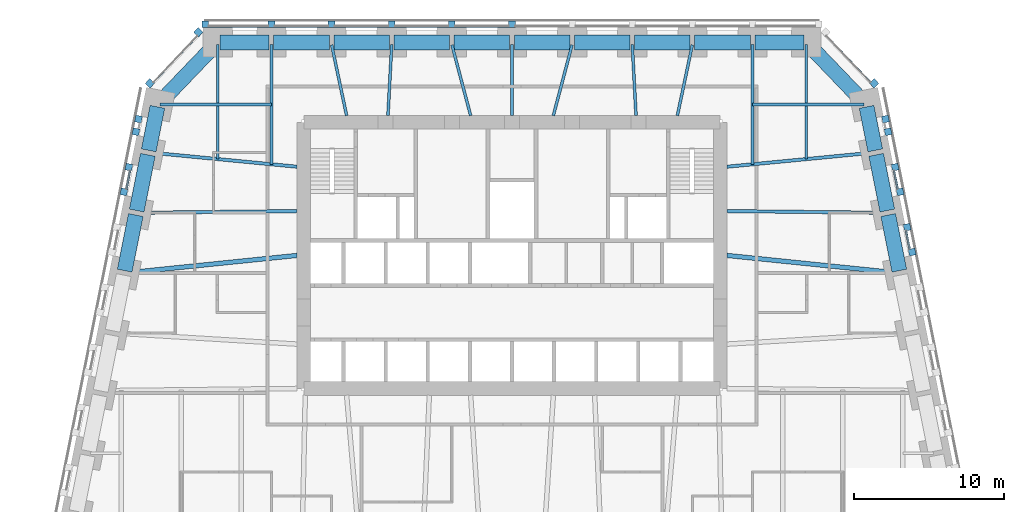
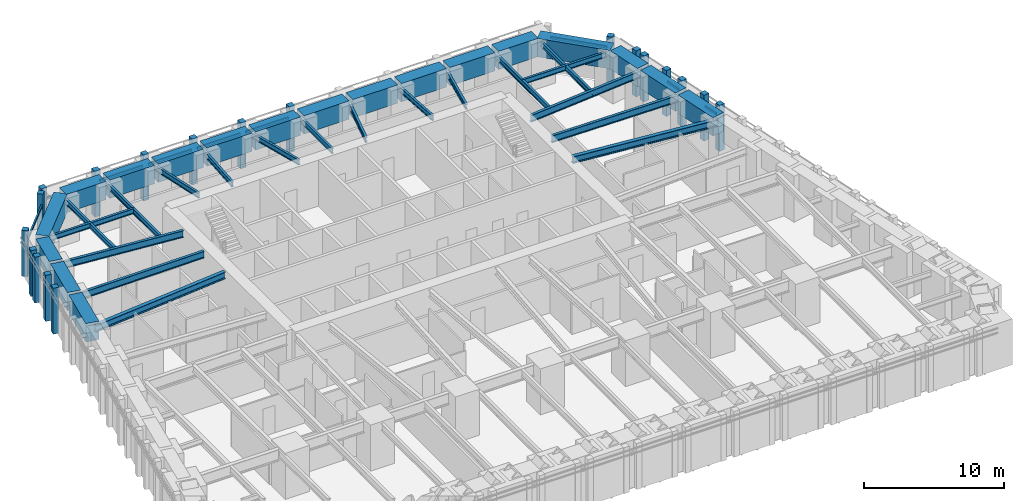
# One storey, part 4 of 16: 37 beams, 29 members, 8 elements without a shape of their own.
"""IFC4 building model written with IfcOpenShell, lengths in metres."""

from ifc_helpers import new_model, si_unit, direction, frame, origin, origin_2d, place, context, subcontext, project, spatial, rectangle, i_section, extrude, material, material_profile, profile_set, type_object, element, aggregate, save


model = new_model("IFC4")

# Units and contexts
model_context = context("Model", 3, precision=1e-05, world=origin(), true_north=direction((0.0, 1.0)))
body_context = subcontext(model_context, "Body", "Model", "MODEL_VIEW")
ifc_project = project(units=[si_unit("LENGTHUNIT", "METRE"), si_unit("AREAUNIT", "SQUARE_METRE"), si_unit("VOLUMEUNIT", "CUBIC_METRE"), si_unit("PLANEANGLEUNIT", "RADIAN"), si_unit("MASSUNIT", "GRAM", prefix="KILO")], contexts=[model_context])

# Site, building, storey
site_placement = place(None, origin())
site = spatial("IfcSite", under=ifc_project, at=site_placement, CompositionType="ELEMENT")
building_placement = place(site_placement, origin())
building = spatial("IfcBuilding", under=site, at=building_placement, Name="Isbrekke Arena Tower", CompositionType="ELEMENT")
storey_placement = place(building_placement, frame((0.0, 0.0, 36.0)))
storey = spatial("IfcBuildingStorey", under=building, at=storey_placement, Name="L06", CompositionType="ELEMENT", Elevation=36.0)

# Beams
ifc_material_1 = material(Name="Steel S355", Category="steel")
ifc_material_profile_1 = material_profile(ifc_material_1, i_section(OverallWidth=0.219970703125, OverallDepth=0.60009765625, WebThickness=0.011962890625, FlangeThickness=0.01904296875, FilletRadius=0.02392578125, at=origin_2d()), Name="IPE 600")
ifc_profile_set_1 = profile_set([ifc_material_profile_1], Name="Steel S355")
beam_type_1 = type_object("IfcBeamType", Name="B1 IPE 600", PredefinedType="BEAM", material=ifc_profile_set_1)
beam_1_placement = place(storey_placement, frame((24.83984375, 17.838134765625, 3.550048828125), z_axis=(-0.999943729589, 0.010608376645, 0.0), x_axis=(-0.010608376645, -0.999943729589, 0.0)))
element("IfcBeam", 1, at=beam_1_placement, inside=storey, type_object=beam_type_1, Name="B1 beam E-E09 L06", PredefinedType="BEAM", context=body_context, shape_type="SweptSolid", body=[
    extrude(i_section(OverallWidth=0.219970703125, OverallDepth=0.60009765625, WebThickness=0.011962890625, FlangeThickness=0.01904296875, FilletRadius=0.02392578125, at=origin_2d()), origin(), (0.0, 0.0, 1.0), 10.540283203125),
])
for number, where, z_axis, x_axis, name in (
    (2, (24.030517578125, 21.837158203125, 3.550048828125), (-0.995393091527, -0.095878012805, 0.0), (0.095878012805, -0.995393091527, 0.0), "B1 beam E-E10 L06"),
    (3, (-24.030517578125, 21.837158203125, 3.550048828125), (0.995393091527, -0.095878012805, 0.0), (0.095878012805, 0.995393091527, 0.0), "B1 beam E-W02 L06"),
):
    element("IfcBeam", number, at=place(storey_placement, frame(where, z_axis=z_axis, x_axis=x_axis)), inside=storey, type_object=beam_type_1, Name=name, PredefinedType="BEAM", context=body_context, shape_type="SweptSolid", body=[
        extrude(i_section(OverallWidth=0.219970703125, OverallDepth=0.60009765625, WebThickness=0.011962890625, FlangeThickness=0.01904296875, FilletRadius=0.02392578125, at=origin_2d()), origin(), (0.0, 0.0, 1.0), 9.775390625),
    ])
beam_2_placement = place(storey_placement, frame((-24.83984375, 17.838134765625, 3.550048828125), z_axis=(0.999943729589, 0.010608376645, 0.0), x_axis=(-0.010608376645, 0.999943729589, 0.0)))
element("IfcBeam", 4, at=beam_2_placement, inside=storey, type_object=beam_type_1, Name="B1 beam E-W03 L06", PredefinedType="BEAM", context=body_context, shape_type="SweptSolid", body=[
    extrude(i_section(OverallWidth=0.219970703125, OverallDepth=0.60009765625, WebThickness=0.011962890625, FlangeThickness=0.01904296875, FilletRadius=0.02392578125, at=origin_2d()), origin(), (0.0, 0.0, 1.0), 10.540283203125),
])
ifc_material_2 = material(Name="Steel S355", Category="steel")
ifc_material_profile_2 = material_profile(ifc_material_2, i_section(OverallWidth=0.18994140625, OverallDepth=0.449951171875, WebThickness=0.009521484375, FlangeThickness=0.0146484375, FilletRadius=0.02099609375, at=origin_2d()), Name="IPE 450")
ifc_profile_set_2 = profile_set([ifc_material_profile_2], Name="Steel S355")
beam_type_2 = type_object("IfcBeamType", Name="B2 IPE 450", PredefinedType="BEAM", material=ifc_profile_set_2)
for number, where, z_axis, x_axis, name in (
    (5, (23.40283203125, 25.029296875, 3.625), (-1.0, 0.0, 0.0), (0.0, -1.0, 0.0), "B2 beam E-E11 L06"),
    (6, (-23.40283203125, 25.029296875, 3.625), (1.0, 0.0, 0.0), (0.0, 1.0, 0.0), "B2 beam E-W01 L06"),
):
    element("IfcBeam", number, at=place(storey_placement, frame(where, z_axis=z_axis, x_axis=x_axis)), inside=storey, type_object=beam_type_2, Name=name, PredefinedType="BEAM", context=body_context, shape_type="SweptSolid", body=[
        extrude(i_section(OverallWidth=0.18994140625, OverallDepth=0.449951171875, WebThickness=0.009521484375, FlangeThickness=0.0146484375, FilletRadius=0.02099609375, at=origin_2d()), origin(), (0.0, 0.0, 1.0), 7.40283203125),
    ])
ifc_material_3 = material(Name="Steel S355", Category="steel")
ifc_material_profile_3 = material_profile(ifc_material_3, i_section(OverallWidth=0.18994140625, OverallDepth=0.449951171875, WebThickness=0.009521484375, FlangeThickness=0.0146484375, FilletRadius=0.02099609375, at=origin_2d()), Name="IPE 450")
ifc_profile_set_3 = profile_set([ifc_material_profile_3], Name="Steel S355")
beam_type_3 = type_object("IfcBeamType", Name="B3 IPE 450", PredefinedType="BEAM", material=ifc_profile_set_3)
beam_3_placement = place(storey_placement, frame((19.574951171875, 29.02490234375, 3.625), z_axis=(0.0, -1.0, 0.0), x_axis=(1.0, 0.0, 0.0)))
element("IfcBeam", 7, at=beam_3_placement, inside=storey, type_object=beam_type_3, Name="B3 beam N-N01 L06", PredefinedType="BEAM", context=body_context, shape_type="SweptSolid", body=[
    extrude(i_section(OverallWidth=0.18994140625, OverallDepth=0.449951171875, WebThickness=0.009521484375, FlangeThickness=0.0146484375, FilletRadius=0.02099609375, at=origin_2d()), origin(), (0.0, 0.0, 1.0), 7.616943359375),
])
for number, where, z_axis, x_axis, name in (
    (8, (16.0, 29.02490234375, 3.625), (0.0, -1.0, 0.0), (1.0, 0.0, 0.0), "B3 beam N-N02 L06"),
    (9, (-16.0, 29.02490234375, 3.625), (0.0, -1.0, 0.0), (1.0, 0.0, 0.0), "B3 beam N-N10 L06"),
):
    element("IfcBeam", number, at=place(storey_placement, frame(where, z_axis=z_axis, x_axis=x_axis)), inside=storey, type_object=beam_type_3, Name=name, PredefinedType="BEAM", context=body_context, shape_type="SweptSolid", body=[
        extrude(i_section(OverallWidth=0.18994140625, OverallDepth=0.449951171875, WebThickness=0.009521484375, FlangeThickness=0.0146484375, FilletRadius=0.02099609375, at=origin_2d()), origin(), (0.0, 0.0, 1.0), 7.961181640625),
    ])
beam_4_placement = place(storey_placement, frame((-19.574951171875, 29.02490234375, 3.625), z_axis=(0.0, -1.0, 0.0), x_axis=(1.0, 0.0, 0.0)))
element("IfcBeam", 10, at=beam_4_placement, inside=storey, type_object=beam_type_3, Name="B3 beam N-N11 L06", PredefinedType="BEAM", context=body_context, shape_type="SweptSolid", body=[
    extrude(i_section(OverallWidth=0.18994140625, OverallDepth=0.449951171875, WebThickness=0.009521484375, FlangeThickness=0.0146484375, FilletRadius=0.02099609375, at=origin_2d()), origin(), (0.0, 0.0, 1.0), 7.616943359375),
])
beam_5_placement = place(storey_placement, frame((11.995849609375, 29.005859375, 3.625), z_axis=(-0.207036135686, -0.978333296234, 0.0), x_axis=(0.978333296234, -0.207036135686, 0.0)))
element("IfcBeam", 11, at=beam_5_placement, inside=storey, type_object=beam_type_3, Name="B3 beam N-N03 L06", PredefinedType="BEAM", context=body_context, shape_type="SweptSolid", body=[
    extrude(i_section(OverallWidth=0.18994140625, OverallDepth=0.449951171875, WebThickness=0.009521484375, FlangeThickness=0.0146484375, FilletRadius=0.02099609375, at=origin_2d()), origin(), (0.0, 0.0, 1.0), 4.81005859375),
])
beam_6_placement = place(storey_placement, frame((8.000244140625, 29.02001953125, 3.625), z_axis=(0.05284078094, -0.998602950061, 0.0), x_axis=(0.998602950061, 0.05284078094, 0.0)))
element("IfcBeam", 12, at=beam_6_placement, inside=storey, type_object=beam_type_3, Name="B3 beam N-N04 L06", PredefinedType="BEAM", context=body_context, shape_type="SweptSolid", body=[
    extrude(i_section(OverallWidth=0.18994140625, OverallDepth=0.449951171875, WebThickness=0.009521484375, FlangeThickness=0.0146484375, FilletRadius=0.02099609375, at=origin_2d()), origin(), (0.0, 0.0, 1.0), 4.7265625),
])
beam_7_placement = place(storey_placement, frame((3.993896484375, 29.00146484375, 3.625), z_axis=(-0.255778031922, -0.966735536942, 0.0), x_axis=(0.966735536942, -0.255778031922, 0.0)))
element("IfcBeam", 13, at=beam_7_placement, inside=storey, type_object=beam_type_3, Name="B3 beam N-N05 L06", PredefinedType="BEAM", context=body_context, shape_type="SweptSolid", body=[
    extrude(i_section(OverallWidth=0.18994140625, OverallDepth=0.449951171875, WebThickness=0.009521484375, FlangeThickness=0.0146484375, FilletRadius=0.02099609375, at=origin_2d()), origin(), (0.0, 0.0, 1.0), 4.86328125),
])
beam_8_placement = place(storey_placement, frame((0.0, 29.02490234375, 3.625), z_axis=(0.0, -1.0, 0.0), x_axis=(1.0, 0.0, 0.0)))
element("IfcBeam", 14, at=beam_8_placement, inside=storey, type_object=beam_type_3, Name="B3 beam N-N06 L06", PredefinedType="BEAM", context=body_context, shape_type="SweptSolid", body=[
    extrude(i_section(OverallWidth=0.18994140625, OverallDepth=0.449951171875, WebThickness=0.009521484375, FlangeThickness=0.0146484375, FilletRadius=0.02099609375, at=origin_2d()), origin(), (0.0, 0.0, 1.0), 4.724853515625),
])
beam_9_placement = place(storey_placement, frame((-3.993896484375, 29.00146484375, 3.625), z_axis=(0.255778031922, -0.966735536942, 0.0), x_axis=(0.966735536942, 0.255778031922, 0.0)))
element("IfcBeam", 15, at=beam_9_placement, inside=storey, type_object=beam_type_3, Name="B3 beam N-N07 L06", PredefinedType="BEAM", context=body_context, shape_type="SweptSolid", body=[
    extrude(i_section(OverallWidth=0.18994140625, OverallDepth=0.449951171875, WebThickness=0.009521484375, FlangeThickness=0.0146484375, FilletRadius=0.02099609375, at=origin_2d()), origin(), (0.0, 0.0, 1.0), 4.86328125),
])
beam_10_placement = place(storey_placement, frame((-8.000244140625, 29.02001953125, 3.625), z_axis=(-0.05284078094, -0.998602950061, 0.0), x_axis=(0.998602950061, -0.05284078094, 0.0)))
element("IfcBeam", 16, at=beam_10_placement, inside=storey, type_object=beam_type_3, Name="B3 beam N-N08 L06", PredefinedType="BEAM", context=body_context, shape_type="SweptSolid", body=[
    extrude(i_section(OverallWidth=0.18994140625, OverallDepth=0.449951171875, WebThickness=0.009521484375, FlangeThickness=0.0146484375, FilletRadius=0.02099609375, at=origin_2d()), origin(), (0.0, 0.0, 1.0), 4.7265625),
])
beam_11_placement = place(storey_placement, frame((-11.995849609375, 29.005859375, 3.625), z_axis=(0.207036135686, -0.978333296234, 0.0), x_axis=(0.978333296234, 0.207036135686, 0.0)))
element("IfcBeam", 17, at=beam_11_placement, inside=storey, type_object=beam_type_3, Name="B3 beam N-N09 L06", PredefinedType="BEAM", context=body_context, shape_type="SweptSolid", body=[
    extrude(i_section(OverallWidth=0.18994140625, OverallDepth=0.449951171875, WebThickness=0.009521484375, FlangeThickness=0.0146484375, FilletRadius=0.02099609375, at=origin_2d()), origin(), (0.0, 0.0, 1.0), 4.81005859375),
])
ifc_material_4 = material(Name="Steel S355", Category="steel")
ifc_material_profile_4 = material_profile(ifc_material_4, i_section(OverallWidth=0.300048828125, OverallDepth=0.60009765625, WebThickness=0.015380859375, FlangeThickness=0.030029296875, FilletRadius=0.027099609375, at=origin_2d()), Name="HEB 600")
ifc_profile_set_4 = profile_set([ifc_material_profile_4], Name="Steel S355")
beam_type_4 = type_object("IfcBeamType", Name="B7 HEB 600", PredefinedType="BEAM", material=ifc_profile_set_4)
for number, where, z_axis, x_axis, name in (
    (18, (25.625732421875, 13.83984375, 3.550048828125), (-0.994794378016, 0.101902627384, 0.0), (-0.101902627384, -0.994794378016, 0.0), "B7 beam E-E08 L06"),
    (19, (-25.625732421875, 13.83984375, 3.550048828125), (0.994794378016, 0.101902627384, 0.0), (-0.101902627384, 0.994794378016, 0.0), "B7 beam E-W04 L06"),
):
    element("IfcBeam", number, at=place(storey_placement, frame(where, z_axis=z_axis, x_axis=x_axis)), inside=storey, type_object=beam_type_4, Name=name, PredefinedType="BEAM", context=body_context, shape_type="SweptSolid", body=[
        extrude(i_section(OverallWidth=0.300048828125, OverallDepth=0.60009765625, WebThickness=0.015380859375, FlangeThickness=0.030029296875, FilletRadius=0.027099609375, at=origin_2d()), origin(), (0.0, 0.0, 1.0), 11.385009765625),
    ])

# Curtain wall, members
ifc_material_5 = material(Name="Glazed aluminium curtain wall", Category="aluminium")
curtain_wall_type = type_object("IfcCurtainWallType", Name="CWL TOWER CURTAIN WALL LOW ZONE", PredefinedType="USERDEFINED", material=ifc_material_5)
curtain_wall_1_placement = place(storey_placement, origin())
curtain_wall_1 = element("IfcCurtainWall", 20, at=curtain_wall_1_placement, inside=storey, type_object=curtain_wall_type, Name="CWL curtain wall L06-E15", ObjectType="TOWER CURTAIN WALL LOW ZONE", PredefinedType="USERDEFINED")
ifc_material_6 = material(Name="Aluminium mullion, pale brick slip cladding", Category="masonry")
ifc_material_profile_5 = material_profile(ifc_material_6, rectangle(XDim=0.449951171875, YDim=0.449951171875, at=origin_2d()), Name="PIER 450X450")
ifc_profile_set_5 = profile_set([ifc_material_profile_5], Name="Aluminium mullion, pale brick slip cladding")
member_type_1 = type_object("IfcMemberType", Name="CWL-M PIER MULLION 450 x 450", PredefinedType="MULLION", material=ifc_profile_set_5)
member_1_placement = place(storey_placement, frame((26.60986328125, 15.225830078125, 0.0), z_axis=(0.0, 0.0, 1.0), x_axis=(-0.196116135138, 0.980580675691, 0.0)))
member_1 = element("IfcMember", 21, at=member_1_placement, type_object=member_type_1, Name="CWL-M mullion 1", PredefinedType="MULLION", context=body_context, shape_type="SweptSolid", body=[
    extrude(rectangle(XDim=0.449951171875, YDim=0.449951171875, at=origin_2d()), origin(), (0.0, 0.0, 1.0), 4.0),
])
member_2_placement = place(storey_placement, frame((26.280517578125, 16.872314453125, 0.0), z_axis=(0.0, 0.0, 1.0), x_axis=(-0.196116135138, 0.980580675691, 0.0)))
member_2 = element("IfcMember", 22, at=member_2_placement, type_object=member_type_1, Name="CWL-M mullion 2", PredefinedType="MULLION", context=body_context, shape_type="SweptSolid", body=[
    extrude(rectangle(XDim=0.449951171875, YDim=0.449951171875, at=origin_2d()), origin(), (0.0, 0.0, 1.0), 4.0),
])

curtain_wall_2_placement = place(storey_placement, origin())
curtain_wall_2 = element("IfcCurtainWall", 23, at=curtain_wall_2_placement, inside=storey, type_object=curtain_wall_type, Name="CWL curtain wall L06-E17", ObjectType="TOWER CURTAIN WALL LOW ZONE", PredefinedType="USERDEFINED")
member_3_placement = place(storey_placement, frame((25.809814453125, 19.225830078125, 0.0), z_axis=(0.0, 0.0, 1.0), x_axis=(-0.196116135138, 0.980580675691, 0.0)))
member_3 = element("IfcMember", 24, at=member_3_placement, type_object=member_type_1, Name="CWL-M mullion 1", PredefinedType="MULLION", context=body_context, shape_type="SweptSolid", body=[
    extrude(rectangle(XDim=0.449951171875, YDim=0.449951171875, at=origin_2d()), origin(), (0.0, 0.0, 1.0), 4.0),
])
member_4_placement = place(storey_placement, frame((25.48046875, 20.872314453125, 0.0), z_axis=(0.0, 0.0, 1.0), x_axis=(-0.196116135138, 0.980580675691, 0.0)))
member_4 = element("IfcMember", 25, at=member_4_placement, type_object=member_type_1, Name="CWL-M mullion 2", PredefinedType="MULLION", context=body_context, shape_type="SweptSolid", body=[
    extrude(rectangle(XDim=0.449951171875, YDim=0.449951171875, at=origin_2d()), origin(), (0.0, 0.0, 1.0), 4.0),
])

curtain_wall_3_placement = place(storey_placement, origin())
curtain_wall_3 = element("IfcCurtainWall", 26, at=curtain_wall_3_placement, inside=storey, type_object=curtain_wall_type, Name="CWL curtain wall L06-E19", ObjectType="TOWER CURTAIN WALL LOW ZONE", PredefinedType="USERDEFINED")
member_5_placement = place(storey_placement, frame((25.009765625, 23.225830078125, 0.0), z_axis=(0.0, 0.0, 1.0), x_axis=(-0.196116135138, 0.980580675691, 0.0)))
member_5 = element("IfcMember", 27, at=member_5_placement, type_object=member_type_1, Name="CWL-M mullion 1", PredefinedType="MULLION", context=body_context, shape_type="SweptSolid", body=[
    extrude(rectangle(XDim=0.449951171875, YDim=0.449951171875, at=origin_2d()), origin(), (0.0, 0.0, 1.0), 4.0),
])
member_6_placement = place(storey_placement, frame((24.841796875, 24.065185546875, 0.0), z_axis=(0.0, 0.0, 1.0), x_axis=(-0.196116135138, 0.980580675691, 0.0)))
member_6 = element("IfcMember", 28, at=member_6_placement, type_object=member_type_1, Name="CWL-M mullion 2", PredefinedType="MULLION", context=body_context, shape_type="SweptSolid", body=[
    extrude(rectangle(XDim=0.449951171875, YDim=0.449951171875, at=origin_2d()), origin(), (0.0, 0.0, 1.0), 4.0),
])
aggregate(curtain_wall_3, [member_5, member_6])

# Curtain wall, member
curtain_wall_4_placement = place(storey_placement, origin())
curtain_wall_4 = element("IfcCurtainWall", 29, at=curtain_wall_4_placement, inside=storey, type_object=curtain_wall_type, Name="CWL curtain wall L06-EN", ObjectType="TOWER CURTAIN WALL LOW ZONE", PredefinedType="USERDEFINED")
member_7_placement = place(storey_placement, frame((24.08837890625, 26.444091796875, 0.0), z_axis=(0.0, 0.0, 1.0), x_axis=(-0.68874946192, 0.72499943359, 0.0)))
member_7 = element("IfcMember", 30, at=member_7_placement, type_object=member_type_1, Name="CWL-M mullion 1", PredefinedType="MULLION", context=body_context, shape_type="SweptSolid", body=[
    extrude(rectangle(XDim=0.449951171875, YDim=0.449951171875, at=origin_2d()), origin(), (0.0, 0.0, 1.0), 4.0),
])

# Curtain wall, members
curtain_wall_5_placement = place(storey_placement, origin())
curtain_wall_5 = element("IfcCurtainWall", 31, at=curtain_wall_5_placement, inside=storey, type_object=curtain_wall_type, Name="CWL curtain wall L06-N", ObjectType="TOWER CURTAIN WALL LOW ZONE", PredefinedType="USERDEFINED")
member_8_placement = place(storey_placement, frame((0.0, 30.375, 0.0), z_axis=(0.0, 0.0, 1.0), x_axis=(-1.0, 0.0, 0.0)))
member_8 = element("IfcMember", 32, at=member_8_placement, type_object=member_type_1, Name="CWL-M mullion 6", PredefinedType="MULLION", context=body_context, shape_type="SweptSolid", body=[
    extrude(rectangle(XDim=0.449951171875, YDim=0.449951171875, at=origin_2d()), origin(), (0.0, 0.0, 1.0), 4.0),
])
member_9_placement = place(storey_placement, frame((-4.0, 30.375, 0.0), z_axis=(0.0, 0.0, 1.0), x_axis=(-1.0, 0.0, 0.0)))
member_9 = element("IfcMember", 33, at=member_9_placement, type_object=member_type_1, Name="CWL-M mullion 7", PredefinedType="MULLION", context=body_context, shape_type="SweptSolid", body=[
    extrude(rectangle(XDim=0.449951171875, YDim=0.449951171875, at=origin_2d()), origin(), (0.0, 0.0, 1.0), 4.0),
])
member_10_placement = place(storey_placement, frame((-8.0, 30.375, 0.0), z_axis=(0.0, 0.0, 1.0), x_axis=(-1.0, 0.0, 0.0)))
member_10 = element("IfcMember", 34, at=member_10_placement, type_object=member_type_1, Name="CWL-M mullion 8", PredefinedType="MULLION", context=body_context, shape_type="SweptSolid", body=[
    extrude(rectangle(XDim=0.449951171875, YDim=0.449951171875, at=origin_2d()), origin(), (0.0, 0.0, 1.0), 4.0),
])
member_11_placement = place(storey_placement, frame((-12.0, 30.375, 0.0), z_axis=(0.0, 0.0, 1.0), x_axis=(-1.0, 0.0, 0.0)))
member_11 = element("IfcMember", 35, at=member_11_placement, type_object=member_type_1, Name="CWL-M mullion 9", PredefinedType="MULLION", context=body_context, shape_type="SweptSolid", body=[
    extrude(rectangle(XDim=0.449951171875, YDim=0.449951171875, at=origin_2d()), origin(), (0.0, 0.0, 1.0), 4.0),
])
member_12_placement = place(storey_placement, frame((-16.0, 30.375, 0.0), z_axis=(0.0, 0.0, 1.0), x_axis=(-1.0, 0.0, 0.0)))
member_12 = element("IfcMember", 36, at=member_12_placement, type_object=member_type_1, Name="CWL-M mullion 10", PredefinedType="MULLION", context=body_context, shape_type="SweptSolid", body=[
    extrude(rectangle(XDim=0.449951171875, YDim=0.449951171875, at=origin_2d()), origin(), (0.0, 0.0, 1.0), 4.0),
])
member_13_placement = place(storey_placement, frame((-20.39990234375, 30.375, 0.0), z_axis=(0.0, 0.0, 1.0), x_axis=(-1.0, 0.0, 0.0)))
member_13 = element("IfcMember", 37, at=member_13_placement, type_object=member_type_1, Name="CWL-M mullion 11", PredefinedType="MULLION", context=body_context, shape_type="SweptSolid", body=[
    extrude(rectangle(XDim=0.449951171875, YDim=0.449951171875, at=origin_2d()), origin(), (0.0, 0.0, 1.0), 4.0),
])

curtain_wall_6_placement = place(storey_placement, origin())
curtain_wall_6 = element("IfcCurtainWall", 38, at=curtain_wall_6_placement, inside=storey, type_object=curtain_wall_type, Name="CWL curtain wall L06-NW", ObjectType="TOWER CURTAIN WALL LOW ZONE", PredefinedType="USERDEFINED")
member_14_placement = place(storey_placement, frame((-20.86572265625, 29.83642578125, 0.0), z_axis=(0.0, 0.0, 1.0), x_axis=(-0.68874946192, -0.72499943359, 0.0)))
member_14 = element("IfcMember", 39, at=member_14_placement, type_object=member_type_1, Name="CWL-M mullion 1", PredefinedType="MULLION", context=body_context, shape_type="SweptSolid", body=[
    extrude(rectangle(XDim=0.449951171875, YDim=0.449951171875, at=origin_2d()), origin(), (0.0, 0.0, 1.0), 4.0),
])
member_15_placement = place(storey_placement, frame((-24.087890625, 26.44482421875, 0.0), z_axis=(0.0, 0.0, 1.0), x_axis=(-0.68874946192, -0.72499943359, 0.0)))
member_15 = element("IfcMember", 40, at=member_15_placement, type_object=member_type_1, Name="CWL-M mullion 2", PredefinedType="MULLION", context=body_context, shape_type="SweptSolid", body=[
    extrude(rectangle(XDim=0.449951171875, YDim=0.449951171875, at=origin_2d()), origin(), (0.0, 0.0, 1.0), 4.0),
])

curtain_wall_7_placement = place(storey_placement, origin())
curtain_wall_7 = element("IfcCurtainWall", 41, at=curtain_wall_7_placement, inside=storey, type_object=curtain_wall_type, Name="CWL curtain wall L06-W", ObjectType="TOWER CURTAIN WALL LOW ZONE", PredefinedType="USERDEFINED")
member_16_placement = place(storey_placement, frame((-24.841796875, 24.065185546875, 0.0), z_axis=(0.0, 0.0, 1.0), x_axis=(-0.196116135138, -0.980580675691, 0.0)))
member_16 = element("IfcMember", 42, at=member_16_placement, type_object=member_type_1, Name="CWL-M mullion 1", PredefinedType="MULLION", context=body_context, shape_type="SweptSolid", body=[
    extrude(rectangle(XDim=0.449951171875, YDim=0.449951171875, at=origin_2d()), origin(), (0.0, 0.0, 1.0), 4.0),
])
member_17_placement = place(storey_placement, frame((-25.009765625, 23.225830078125, 0.0), z_axis=(0.0, 0.0, 1.0), x_axis=(-0.196116135138, -0.980580675691, 0.0)))
member_17 = element("IfcMember", 43, at=member_17_placement, type_object=member_type_1, Name="CWL-M mullion 2", PredefinedType="MULLION", context=body_context, shape_type="SweptSolid", body=[
    extrude(rectangle(XDim=0.449951171875, YDim=0.449951171875, at=origin_2d()), origin(), (0.0, 0.0, 1.0), 4.0),
])
aggregate(curtain_wall_7, [member_16, member_17])

curtain_wall_8_placement = place(storey_placement, origin())
curtain_wall_8 = element("IfcCurtainWall", 44, at=curtain_wall_8_placement, inside=storey, type_object=curtain_wall_type, Name="CWL curtain wall L06-W3", ObjectType="TOWER CURTAIN WALL LOW ZONE", PredefinedType="USERDEFINED")
member_18_placement = place(storey_placement, frame((-25.48046875, 20.872314453125, 0.0), z_axis=(0.0, 0.0, 1.0), x_axis=(-0.196116135138, -0.980580675691, 0.0)))
member_18 = element("IfcMember", 45, at=member_18_placement, type_object=member_type_1, Name="CWL-M mullion 1", PredefinedType="MULLION", context=body_context, shape_type="SweptSolid", body=[
    extrude(rectangle(XDim=0.449951171875, YDim=0.449951171875, at=origin_2d()), origin(), (0.0, 0.0, 1.0), 4.0),
])
member_19_placement = place(storey_placement, frame((-25.809814453125, 19.225830078125, 0.0), z_axis=(0.0, 0.0, 1.0), x_axis=(-0.196116135138, -0.980580675691, 0.0)))
member_19 = element("IfcMember", 46, at=member_19_placement, type_object=member_type_1, Name="CWL-M mullion 2", PredefinedType="MULLION", context=body_context, shape_type="SweptSolid", body=[
    extrude(rectangle(XDim=0.449951171875, YDim=0.449951171875, at=origin_2d()), origin(), (0.0, 0.0, 1.0), 4.0),
])

# Member
ifc_material_7 = material(Name="Aluminium transom", Category="aluminium")
ifc_material_profile_6 = material_profile(ifc_material_7, rectangle(XDim=0.1201171875, YDim=0.199951171875, at=origin_2d()), Name="TRANSOM 120X200")
ifc_profile_set_6 = profile_set([ifc_material_profile_6], Name="Aluminium transom")
member_type_2 = type_object("IfcMemberType", Name="CWL-T TRANSOM 120 x 200", PredefinedType="USERDEFINED", material=ifc_profile_set_6)
member_20_placement = place(storey_placement, frame((26.443115234375, 15.421875, 3.0), z_axis=(-0.196039741533, 0.980595951317, 0.0), x_axis=(-0.980595951317, -0.196039741533, 0.0)))
member_20 = element("IfcMember", 47, at=member_20_placement, type_object=member_type_2, Name="CWL-T transom 1", ObjectType="TRANSOM", PredefinedType="USERDEFINED", context=body_context, shape_type="SweptSolid", body=[
    extrude(rectangle(XDim=0.1201171875, YDim=0.199951171875, at=origin_2d()), origin(), (0.0, 0.0, 1.0), 1.229248046875),
])

aggregate(curtain_wall_1, [member_1, member_2, member_20])

member_21_placement = place(storey_placement, frame((25.64306640625, 19.421875, 3.0), z_axis=(-0.196039741533, 0.980595951317, 0.0), x_axis=(-0.980595951317, -0.196039741533, 0.0)))
member_21 = element("IfcMember", 48, at=member_21_placement, type_object=member_type_2, Name="CWL-T transom 1", ObjectType="TRANSOM", PredefinedType="USERDEFINED", context=body_context, shape_type="SweptSolid", body=[
    extrude(rectangle(XDim=0.1201171875, YDim=0.199951171875, at=origin_2d()), origin(), (0.0, 0.0, 1.0), 1.229248046875),
])

aggregate(curtain_wall_2, [member_3, member_4, member_21])

member_22_placement = place(storey_placement, frame((23.8427734375, 26.521240234375, 3.0), z_axis=(-0.688776771287, 0.724973488712, 0.0), x_axis=(-0.724973488712, -0.688776771287, 0.0)))
member_22 = element("IfcMember", 49, at=member_22_placement, type_object=member_type_2, Name="CWL-T transom 1", ObjectType="TRANSOM", PredefinedType="USERDEFINED", context=body_context, shape_type="SweptSolid", body=[
    extrude(rectangle(XDim=0.1201171875, YDim=0.199951171875, at=origin_2d()), origin(), (0.0, 0.0, 1.0), 4.22900390625),
])

aggregate(curtain_wall_4, [member_7, member_22])

member_23_placement = place(storey_placement, frame((-0.22509765625, 30.25, 3.0), z_axis=(-1.0, 0.0, 0.0), x_axis=(0.0, -1.0, 0.0)))
member_23 = element("IfcMember", 50, at=member_23_placement, type_object=member_type_2, Name="CWL-T transom 6", ObjectType="TRANSOM", PredefinedType="USERDEFINED", context=body_context, shape_type="SweptSolid", body=[
    extrude(rectangle(XDim=0.1201171875, YDim=0.199951171875, at=origin_2d()), origin(), (0.0, 0.0, 1.0), 3.5498046875),
])

member_24_placement = place(storey_placement, frame((-4.22509765625, 30.25, 3.0), z_axis=(-1.0, 0.0, 0.0), x_axis=(0.0, -1.0, 0.0)))
member_24 = element("IfcMember", 51, at=member_24_placement, type_object=member_type_2, Name="CWL-T transom 7", ObjectType="TRANSOM", PredefinedType="USERDEFINED", context=body_context, shape_type="SweptSolid", body=[
    extrude(rectangle(XDim=0.1201171875, YDim=0.199951171875, at=origin_2d()), origin(), (0.0, 0.0, 1.0), 3.5498046875),
])

member_25_placement = place(storey_placement, frame((-8.22509765625, 30.25, 3.0), z_axis=(-1.0, 0.0, 0.0), x_axis=(0.0, -1.0, 0.0)))
member_25 = element("IfcMember", 52, at=member_25_placement, type_object=member_type_2, Name="CWL-T transom 8", ObjectType="TRANSOM", PredefinedType="USERDEFINED", context=body_context, shape_type="SweptSolid", body=[
    extrude(rectangle(XDim=0.1201171875, YDim=0.199951171875, at=origin_2d()), origin(), (0.0, 0.0, 1.0), 3.5498046875),
])

member_26_placement = place(storey_placement, frame((-12.22509765625, 30.25, 3.0), z_axis=(-1.0, 0.0, 0.0), x_axis=(0.0, -1.0, 0.0)))
member_26 = element("IfcMember", 53, at=member_26_placement, type_object=member_type_2, Name="CWL-T transom 9", ObjectType="TRANSOM", PredefinedType="USERDEFINED", context=body_context, shape_type="SweptSolid", body=[
    extrude(rectangle(XDim=0.1201171875, YDim=0.199951171875, at=origin_2d()), origin(), (0.0, 0.0, 1.0), 3.5498046875),
])

member_27_placement = place(storey_placement, frame((-16.22509765625, 30.25, 3.0), z_axis=(-1.0, 0.0, 0.0), x_axis=(0.0, -1.0, 0.0)))
member_27 = element("IfcMember", 54, at=member_27_placement, type_object=member_type_2, Name="CWL-T transom 10", ObjectType="TRANSOM", PredefinedType="USERDEFINED", context=body_context, shape_type="SweptSolid", body=[
    extrude(rectangle(XDim=0.1201171875, YDim=0.199951171875, at=origin_2d()), origin(), (0.0, 0.0, 1.0), 3.949951171875),
])

aggregate(curtain_wall_5, [member_8, member_9, member_10, member_11, member_12, member_13, member_23, member_24, member_25, member_26, member_27])

member_28_placement = place(storey_placement, frame((-20.93017578125, 29.587158203125, 3.0), z_axis=(-0.6887433918, -0.725005200155, 0.0), x_axis=(0.725005200155, -0.6887433918, 0.0)))
member_28 = element("IfcMember", 55, at=member_28_placement, type_object=member_type_2, Name="CWL-T transom 1", ObjectType="TRANSOM", PredefinedType="USERDEFINED", context=body_context, shape_type="SweptSolid", body=[
    extrude(rectangle(XDim=0.1201171875, YDim=0.199951171875, at=origin_2d()), origin(), (0.0, 0.0, 1.0), 4.22802734375),
])

aggregate(curtain_wall_6, [member_14, member_15, member_28])

member_29_placement = place(storey_placement, frame((-25.402099609375, 20.627197265625, 3.0), z_axis=(-0.196039741533, -0.980595951317, 0.0), x_axis=(0.980595951317, -0.196039741533, 0.0)))
member_29 = element("IfcMember", 56, at=member_29_placement, type_object=member_type_2, Name="CWL-T transom 1", ObjectType="TRANSOM", PredefinedType="USERDEFINED", context=body_context, shape_type="SweptSolid", body=[
    extrude(rectangle(XDim=0.1201171875, YDim=0.199951171875, at=origin_2d()), origin(), (0.0, 0.0, 1.0), 1.229248046875),
])

aggregate(curtain_wall_8, [member_18, member_19, member_29])

# Beams
ifc_material_8 = material(Name="Concrete B90 (C90/105)", Category="concrete")
ifc_material_profile_7 = material_profile(ifc_material_8, rectangle(XDim=1.0, YDim=1.60009765625, at=origin_2d()), Name="RC 1000x1600")
ifc_profile_set_7 = profile_set([ifc_material_profile_7], Name="Concrete B90 (C90/105)")
beam_type_5 = type_object("IfcBeamType", Name="SB1 RC 1000 x 1600", PredefinedType="SPANDREL", material=ifc_profile_set_7)
for number, where, z_axis, x_axis, name in (
    (57, (25.76171875, 13.9853515625, 3.199951171875), (-0.196128558387, 0.980578190959, 0.0), (-0.980578190959, -0.196128558387, 0.0), "SB1 spandrel E08-E09 L06"),
    (58, (24.961669921875, 17.9853515625, 3.199951171875), (-0.196128558387, 0.980578190959, 0.0), (-0.980578190959, -0.196128558387, 0.0), "SB1 spandrel E09-E10 L06"),
):
    element("IfcBeam", number, at=place(storey_placement, frame(where, z_axis=z_axis, x_axis=x_axis)), inside=storey, type_object=beam_type_5, Name=name, PredefinedType="SPANDREL", context=body_context, shape_type="SweptSolid", body=[
        extrude(rectangle(XDim=1.0, YDim=1.60009765625, at=origin_2d()), origin(), (0.0, 0.0, 1.0), 3.779296875),
    ])
beam_12_placement = place(storey_placement, frame((24.16162109375, 21.9853515625, 3.199951171875), z_axis=(-0.196116135138, 0.980580675691, 0.0), x_axis=(-0.980580675691, -0.196116135138, 0.0)))
element("IfcBeam", 59, at=beam_12_placement, inside=storey, type_object=beam_type_5, Name="SB1 spandrel E10-E11 L06", PredefinedType="SPANDREL", context=body_context, shape_type="SweptSolid", body=[
    extrude(rectangle(XDim=1.0, YDim=1.60009765625, at=origin_2d()), origin(), (0.0, 0.0, 1.0), 2.9541015625),
])
beam_13_placement = place(storey_placement, frame((23.448974609375, 25.137451171875, 3.199951171875), z_axis=(-0.692339547635, 0.721571861134, 0.0), x_axis=(-0.721571861134, -0.692339547635, 0.0)))
element("IfcBeam", 60, at=beam_13_placement, inside=storey, type_object=beam_type_5, Name="SB1 spandrel E11-N01 L06", PredefinedType="SPANDREL", context=body_context, shape_type="SweptSolid", body=[
    extrude(rectangle(XDim=1.0, YDim=1.60009765625, at=origin_2d()), origin(), (0.0, 0.0, 1.0), 5.4453125),
])
beam_14_placement = place(storey_placement, frame((19.425048828125, 29.175048828125, 3.199951171875), z_axis=(-1.0, 0.0, 0.0), x_axis=(0.0, -1.0, 0.0)))
element("IfcBeam", 61, at=beam_14_placement, inside=storey, type_object=beam_type_5, Name="SB1 spandrel N01-N02 L06", PredefinedType="SPANDREL", context=body_context, shape_type="SweptSolid", body=[
    extrude(rectangle(XDim=1.0, YDim=1.60009765625, at=origin_2d()), origin(), (0.0, 0.0, 1.0), 3.275146484375),
])
for number, where, z_axis, x_axis, name in (
    (62, (15.85009765625, 29.175048828125, 3.199951171875), (-1.0, 0.0, 0.0), (0.0, -1.0, 0.0), "SB1 spandrel N02-N03 L06"),
    (63, (11.85009765625, 29.175048828125, 3.199951171875), (-1.0, 0.0, 0.0), (0.0, -1.0, 0.0), "SB1 spandrel N03-N04 L06"),
    (64, (7.85009765625, 29.175048828125, 3.199951171875), (-1.0, 0.0, 0.0), (0.0, -1.0, 0.0), "SB1 spandrel N04-N05 L06"),
    (65, (3.85009765625, 29.175048828125, 3.199951171875), (-1.0, 0.0, 0.0), (0.0, -1.0, 0.0), "SB1 spandrel N05-N06 L06"),
    (66, (-0.14990234375, 29.175048828125, 3.199951171875), (-1.0, 0.0, 0.0), (0.0, -1.0, 0.0), "SB1 spandrel N06-N07 L06"),
    (67, (-4.14990234375, 29.175048828125, 3.199951171875), (-1.0, 0.0, 0.0), (0.0, -1.0, 0.0), "SB1 spandrel N07-N08 L06"),
    (68, (-8.14990234375, 29.175048828125, 3.199951171875), (-1.0, 0.0, 0.0), (0.0, -1.0, 0.0), "SB1 spandrel N08-N09 L06"),
    (69, (-12.14990234375, 29.175048828125, 3.199951171875), (-1.0, 0.0, 0.0), (0.0, -1.0, 0.0), "SB1 spandrel N09-N10 L06"),
):
    element("IfcBeam", number, at=place(storey_placement, frame(where, z_axis=z_axis, x_axis=x_axis)), inside=storey, type_object=beam_type_5, Name=name, PredefinedType="SPANDREL", context=body_context, shape_type="SweptSolid", body=[
        extrude(rectangle(XDim=1.0, YDim=1.60009765625, at=origin_2d()), origin(), (0.0, 0.0, 1.0), 3.7001953125),
    ])
beam_15_placement = place(storey_placement, frame((-16.14990234375, 29.175048828125, 3.199951171875), z_axis=(-1.0, 0.0, 0.0), x_axis=(0.0, -1.0, 0.0)))
element("IfcBeam", 70, at=beam_15_placement, inside=storey, type_object=beam_type_5, Name="SB1 spandrel N10-N11 L06", PredefinedType="SPANDREL", context=body_context, shape_type="SweptSolid", body=[
    extrude(rectangle(XDim=1.0, YDim=1.60009765625, at=origin_2d()), origin(), (0.0, 0.0, 1.0), 3.275146484375),
])
beam_16_placement = place(storey_placement, frame((-19.678955078125, 29.066650390625, 3.199951171875), z_axis=(-0.692339547635, -0.721571861134, 0.0), x_axis=(0.721571861134, -0.692339547635, 0.0)))
element("IfcBeam", 71, at=beam_16_placement, inside=storey, type_object=beam_type_5, Name="SB1 spandrel N11-W01 L06", PredefinedType="SPANDREL", context=body_context, shape_type="SweptSolid", body=[
    extrude(rectangle(XDim=1.0, YDim=1.60009765625, at=origin_2d()), origin(), (0.0, 0.0, 1.0), 5.4453125),
])
beam_17_placement = place(storey_placement, frame((-23.582275390625, 24.882080078125, 3.199951171875), z_axis=(-0.196116135138, -0.980580675691, 0.0), x_axis=(0.980580675691, -0.196116135138, 0.0)))
element("IfcBeam", 72, at=beam_17_placement, inside=storey, type_object=beam_type_5, Name="SB1 spandrel W01-W02 L06", PredefinedType="SPANDREL", context=body_context, shape_type="SweptSolid", body=[
    extrude(rectangle(XDim=1.0, YDim=1.60009765625, at=origin_2d()), origin(), (0.0, 0.0, 1.0), 2.9541015625),
])
for number, where, z_axis, x_axis, name in (
    (73, (-24.220458984375, 21.691162109375, 3.199951171875), (-0.196128558387, -0.980578190959, 0.0), (0.980578190959, -0.196128558387, 0.0), "SB1 spandrel W02-W03 L06"),
    (74, (-25.0205078125, 17.691162109375, 3.199951171875), (-0.196128558387, -0.980578190959, 0.0), (0.980578190959, -0.196128558387, 0.0), "SB1 spandrel W03-W04 L06"),
):
    element("IfcBeam", number, at=place(storey_placement, frame(where, z_axis=z_axis, x_axis=x_axis)), inside=storey, type_object=beam_type_5, Name=name, PredefinedType="SPANDREL", context=body_context, shape_type="SweptSolid", body=[
        extrude(rectangle(XDim=1.0, YDim=1.60009765625, at=origin_2d()), origin(), (0.0, 0.0, 1.0), 3.779296875),
    ])

save(model, "model.ifc")
